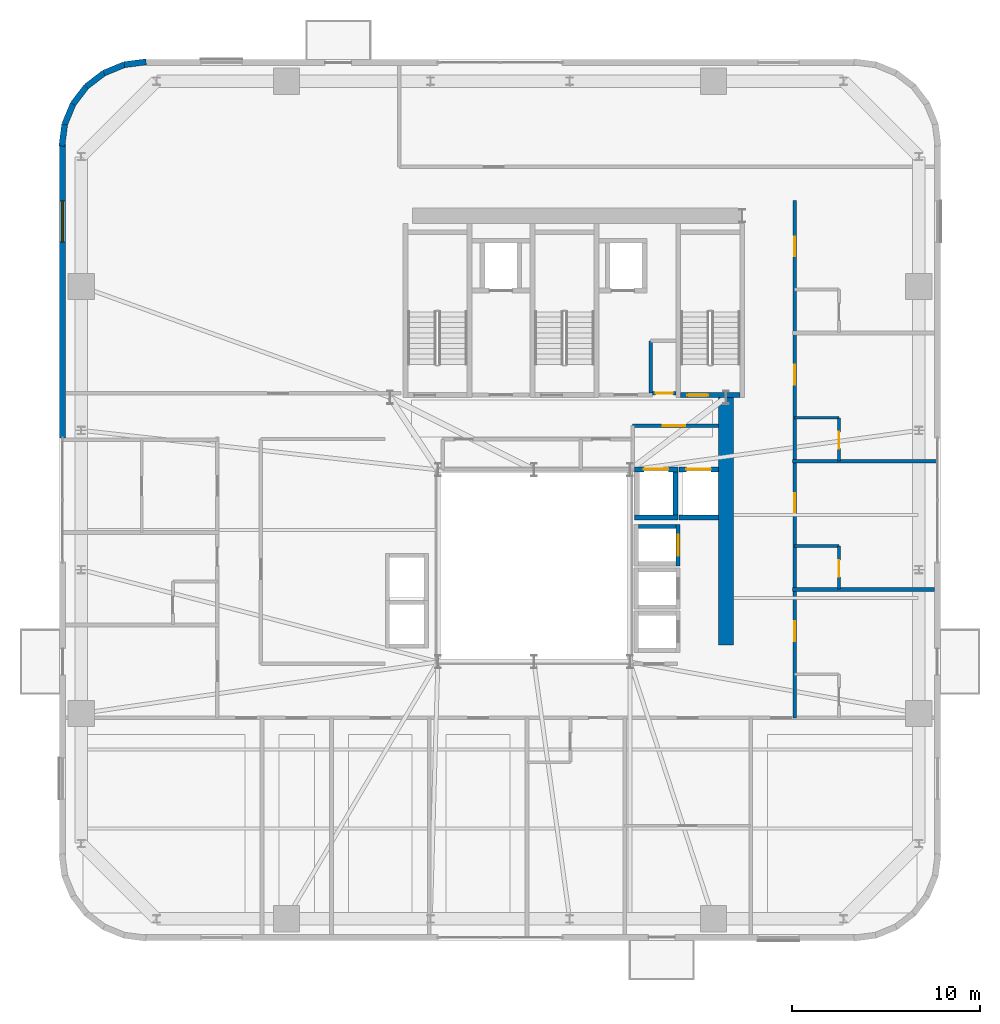
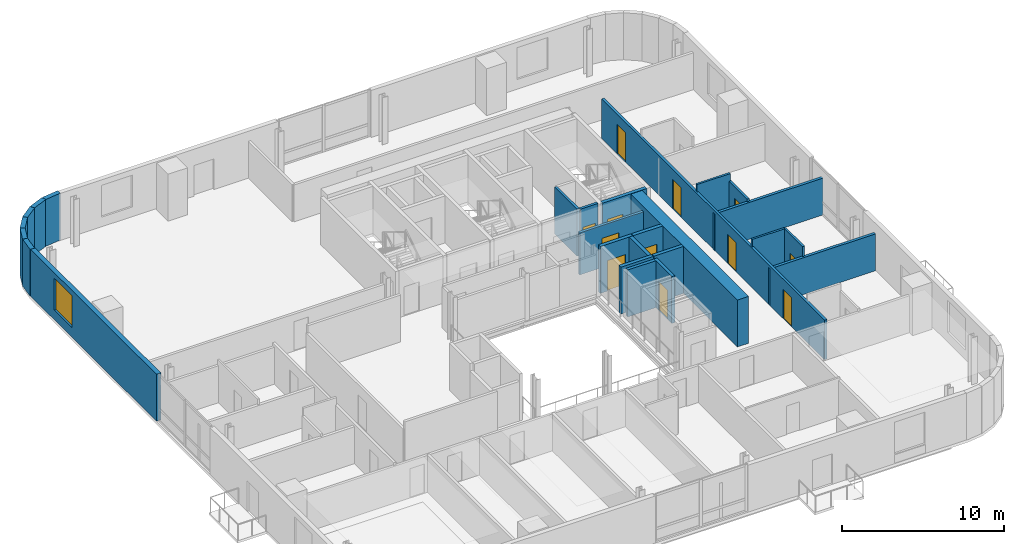
# One storey, part 10 of 16: 26 walls, 12 doors, 1 window, 13 openings.
"""IFC4 building model written with IfcOpenShell, lengths in metres."""

from ifc_helpers import new_model, si_unit, direction, frame, frame_2d, origin, place, context, subcontext, project, spatial, rectangle, extrude, source, transform, mapped, material, layer, layer_set, type_object, element, fill, save


model = new_model("IFC4")

# Units and contexts
model_context = context("Model", 3, precision=1e-05, world=origin(), true_north=direction((0.0, 1.0)))
body_context = subcontext(model_context, "Body", "Model", "MODEL_VIEW")
ifc_project = project(units=[si_unit("LENGTHUNIT", "METRE"), si_unit("AREAUNIT", "SQUARE_METRE"), si_unit("VOLUMEUNIT", "CUBIC_METRE"), si_unit("PLANEANGLEUNIT", "RADIAN"), si_unit("MASSUNIT", "GRAM", prefix="KILO")], contexts=[model_context])

# Site, building, storey
site_placement = place(None, origin())
site = spatial("IfcSite", under=ifc_project, at=site_placement, CompositionType="ELEMENT")
building_placement = place(site_placement, origin())
building = spatial("IfcBuilding", under=site, at=building_placement, Name="Vardaveli Station Tower", CompositionType="ELEMENT")
storey_placement = place(building_placement, frame((0.0, 0.0, 199.800048828125)))
storey = spatial("IfcBuildingStorey", under=building, at=storey_placement, Name="L51", CompositionType="ELEMENT", Elevation=199.800048828125)

# Wall
ifc_material_1 = material(Name="Concrete C50/60", Category="concrete")
ifc_layer_1 = layer(ifc_material_1, 0.800048828125, Name="Concrete C50/60")
ifc_layer_set_1 = layer_set([ifc_layer_1], Name="Concrete C50/60")
wall_type_1 = type_object("IfcWallType", Name="WAL-CORE-800", PredefinedType="SHEAR", material=ifc_layer_set_1)
shared_shape_1 = source(origin(), body_context, "Body", "SweptSolid", [
    extrude(rectangle(XDim=13.14990234375, YDim=0.800048828125, at=frame_2d((6.574951171875, 0.0))), origin(), (0.0, 0.0, 1.0), 3.530029296875),
])
wall_1_placement = place(storey_placement, frame((46.5, 17.5, 0.0), z_axis=(0.0, 0.0, 1.0), x_axis=(0.0, 1.0, 0.0)))
element("IfcWall", 1, at=wall_1_placement, inside=storey, type_object=wall_type_1, Name="SW-L51-EAST2", PredefinedType="SHEAR", context=body_context, shape_type="MappedRepresentation", body=[
    mapped(shared_shape_1, transform((0.0, 0.0, 0.0), scale=1.0)),
])

# Wall, opening, window
ifc_material_2 = material(Name="Precast concrete C45/55", Category="concrete")
ifc_layer_2 = layer(ifc_material_2, 0.320068359375, Name="Precast concrete C45/55")
ifc_layer_set_2 = layer_set([ifc_layer_2], Name="Precast concrete C45/55")
wall_type_2 = type_object("IfcWallType", Name="WAL-EXT-STONE-320", PredefinedType="SOLIDWALL", material=ifc_layer_set_2)
shared_shape_2 = source(origin(), body_context, "Body", "SweptSolid", [
    extrude(rectangle(XDim=15.60009765625, YDim=0.320068359375, at=frame_2d((7.800048828125, 0.0))), origin(), (0.0, 0.0, 1.0), 3.530029296875),
])
wall_2_placement = place(storey_placement, frame((11.260009765625, 44.10009765625, 0.0), z_axis=(0.0, 0.0, 1.0), x_axis=(0.0, -1.0, 0.0)))
wall_2 = element("IfcWall", 2, at=wall_2_placement, inside=storey, type_object=wall_type_2, Name="EW-L51-W1", PredefinedType="SOLIDWALL", context=body_context, shape_type="MappedRepresentation", body=[
    mapped(shared_shape_2, transform((0.0, 0.0, 0.0), scale=1.0)),
])
shared_shape_3 = source(origin(), body_context, "Body", "SweptSolid", [
    extrude(rectangle(XDim=2.199951171875, YDim=2.39990234375, at=frame_2d((1.10009765625, 1.199951171875))), frame((0.0, 0.169921875, 0.0), z_axis=(0.0, -1.0, 0.0), x_axis=(1.0, 0.0, 0.0)), (0.0, 0.0, 1.0), 0.340087890625),
])
opening_1_placement = place(wall_2_placement, frame((3.0048828125, 0.0, 0.719970703125)))
opening_1 = element("IfcOpeningElement", 3, at=opening_1_placement, cuts=wall_2, Name="Opening W-03", PredefinedType="OPENING", context=body_context, shape_type="MappedRepresentation", body=[
    mapped(shared_shape_3, transform((0.0, 0.0, 0.0), scale=1.0)),
])
ifc_material_3 = material(Name="Low-E solar-control glass", Category="glass")
window_type = type_object("IfcWindowType", Name="WIN-LOG-2200x2400", PartitioningType="SINGLE_PANEL", PredefinedType="WINDOW", material=ifc_material_3)
shared_shape_4 = source(origin(), body_context, "Body", "SweptSolid", [
    extrude(rectangle(XDim=2.199951171875, YDim=2.39990234375, at=frame_2d((1.10009765625, 1.199951171875))), frame((0.0, 0.030029296875, 0.0), z_axis=(0.0, -1.0, 0.0), x_axis=(1.0, 0.0, 0.0)), (0.0, 0.0, 1.0), 0.06005859375),
])
window_placement = place(opening_1_placement, origin())
window = element("IfcWindow", 4, at=window_placement, inside=storey, type_object=window_type, Name="WN-L51-W1", OverallHeight=2.39990234375, OverallWidth=2.199951171875, PartitioningType="SINGLE_PANEL", PredefinedType="WINDOW", context=body_context, shape_type="MappedRepresentation", body=[
    mapped(shared_shape_4, transform((0.0, 0.0, 0.0), scale=1.0)),
])
fill(opening_1, window)

# Walls
shared_shape_5 = source(origin(), body_context, "Body", "SweptSolid", [
    extrude(rectangle(XDim=1.1689453125, YDim=0.320068359375, at=frame_2d((0.58447265625, 0.0))), origin(), (0.0, 0.0, 1.0), 3.530029296875),
])
wall_3_placement = place(storey_placement, frame((12.53125, 47.1689453125, 0.0), z_axis=(0.0, 0.0, 1.0), x_axis=(-0.608387696831, -0.793639975269, 0.0)))
element("IfcWall", 5, at=wall_3_placement, inside=storey, type_object=wall_type_2, Name="EW-L51-CR4-4", PredefinedType="SOLIDWALL", context=body_context, shape_type="MappedRepresentation", body=[
    mapped(shared_shape_5, transform((0.0, 0.0, 0.0), scale=1.0)),
])
shared_shape_6 = source(origin(), body_context, "Body", "SweptSolid", [
    extrude(rectangle(XDim=1.168701171875, YDim=0.320068359375, at=frame_2d((0.58447265625, 0.0))), origin(), (0.0, 0.0, 1.0), 3.530029296875),
])
wall_4_placement = place(storey_placement, frame((13.458740234375, 47.8798828125, 0.0), z_axis=(0.0, 0.0, 1.0), x_axis=(-0.793663520347, -0.608356981114, 0.0)))
element("IfcWall", 6, at=wall_4_placement, inside=storey, type_object=wall_type_2, Name="EW-L51-CR4-3", PredefinedType="SOLIDWALL", context=body_context, shape_type="MappedRepresentation", body=[
    mapped(shared_shape_6, transform((0.0, 0.0, 0.0), scale=1.0)),
])
shared_shape_7 = source(origin(), body_context, "Body", "SweptSolid", [
    extrude(rectangle(XDim=1.17041015625, YDim=0.320068359375, at=frame_2d((0.585205078125, 0.0))), origin(), (0.0, 0.0, 1.0), 3.530029296875),
])
for number, where, z_axis, x_axis, name in (
    (7, (15.700439453125, 48.4755859375, 0.0), (0.0, 0.0, 1.0), (-0.991735963317, -0.128295670475, 0.0), "EW-L51-CR4-1"),
    (8, (11.37451171875, 45.16015625, 0.0), (0.0, 0.0, 1.0), (-0.128295670475, -0.991735963317, 0.0), "EW-L51-CR4-6"),
):
    element("IfcWall", number, at=place(storey_placement, frame(where, z_axis=z_axis, x_axis=x_axis)), inside=storey, type_object=wall_type_2, Name=name, PredefinedType="SOLIDWALL", context=body_context, shape_type="MappedRepresentation", body=[
        mapped(shared_shape_7, transform((0.0, 0.0, 0.0), scale=1.0)),
    ])
shared_shape_8 = source(origin(), body_context, "Body", "SweptSolid", [
    extrude(rectangle(XDim=1.169189453125, YDim=0.320068359375, at=frame_2d((0.58447265625, 0.0))), origin(), (0.0, 0.0, 1.0), 3.530029296875),
])
for number, where, z_axis, x_axis, name in (
    (9, (14.539794921875, 48.325439453125, 0.0), (0.0, 0.0, 1.0), (-0.924552646638, -0.381054331552, 0.0), "EW-L51-CR4-2"),
    (10, (11.820068359375, 46.2412109375, 0.0), (0.0, 0.0, 1.0), (-0.381054331552, -0.924552646638, 0.0), "EW-L51-CR4-5"),
):
    element("IfcWall", number, at=place(storey_placement, frame(where, z_axis=z_axis, x_axis=x_axis)), inside=storey, type_object=wall_type_2, Name=name, PredefinedType="SOLIDWALL", context=body_context, shape_type="MappedRepresentation", body=[
        mapped(shared_shape_8, transform((0.0, 0.0, 0.0), scale=1.0)),
    ])

# Wall, opening, door
ifc_material_4 = material(Name="Concrete C40/50", Category="concrete")
ifc_layer_3 = layer(ifc_material_4, 0.25, Name="Concrete C40/50")
ifc_layer_set_3 = layer_set([ifc_layer_3], Name="Concrete C40/50")
wall_type_3 = type_object("IfcWallType", Name="WAL-SHAFT-250", PredefinedType="SOLIDWALL", material=ifc_layer_set_3)
shared_shape_9 = source(origin(), body_context, "Body", "SweptSolid", [
    extrude(rectangle(XDim=3.14990234375, YDim=0.25, at=frame_2d((1.574951171875, 0.0))), origin(), (0.0, 0.0, 1.0), 3.550048828125),
])
wall_5_placement = place(storey_placement, frame((44.10009765625, 30.77490234375, 0.0), z_axis=(0.0, 0.0, 1.0), x_axis=(1.0, 0.0, 0.0)))
wall_5 = element("IfcWall", 11, at=wall_5_placement, inside=storey, type_object=wall_type_3, Name="W-L51-ST-3S", PredefinedType="SOLIDWALL", context=body_context, shape_type="MappedRepresentation", body=[
    mapped(shared_shape_9, transform((0.0, 0.0, 0.0), scale=1.0)),
])
shared_shape_10 = source(origin(), body_context, "Body", "SweptSolid", [
    extrude(rectangle(XDim=1.10009765625, YDim=2.199951171875, at=frame_2d((0.550048828125, 1.10009765625))), frame((0.0, 0.135009765625, 0.0), z_axis=(0.0, -1.0, 0.0), x_axis=(1.0, 0.0, 0.0)), (0.0, 0.0, 1.0), 0.27001953125),
])
opening_2_placement = place(wall_5_placement, frame((0.35009765625, 0.0, 0.0)))
opening_2 = element("IfcOpeningElement", 12, at=opening_2_placement, cuts=wall_5, Name="Opening D-04", PredefinedType="OPENING", context=body_context, shape_type="MappedRepresentation", body=[
    mapped(shared_shape_10, transform((0.0, 0.0, 0.0), scale=1.0)),
])
ifc_material_5 = material(Name="Steel smokeproof fire doorset", Category="steel")
door_type_1 = type_object("IfcDoorType", Name="DR-ST-1100x2200", OperationType="NOTDEFINED", PredefinedType="DOOR", material=ifc_material_5)
shared_shape_11 = source(origin(), body_context, "Body", "SweptSolid", [
    extrude(rectangle(XDim=1.10009765625, YDim=2.199951171875, at=frame_2d((0.550048828125, 1.10009765625))), frame((0.0, 0.02490234375, 0.0), z_axis=(0.0, -1.0, 0.0), x_axis=(1.0, 0.0, 0.0)), (0.0, 0.0, 1.0), 0.050048828125),
])
door_1_placement = place(opening_2_placement, origin())
door_1 = element("IfcDoor", 13, at=door_1_placement, inside=storey, type_object=door_type_1, Name="DST-3-L51", OperationType="SINGLE_SWING_LEFT", OverallHeight=2.199951171875, OverallWidth=1.10009765625, PredefinedType="DOOR", context=body_context, shape_type="MappedRepresentation", body=[
    mapped(shared_shape_11, transform((0.0, 0.0, 0.0), scale=1.0)),
])
fill(opening_2, door_1)

# Wall
ifc_layer_4 = layer(ifc_material_4, 0.219970703125, Name="Concrete C40/50")
ifc_layer_set_4 = layer_set([ifc_layer_4], Name="Concrete C40/50")
wall_type_4 = type_object("IfcWallType", Name="WAL-FFLOBBY-220", PredefinedType="SOLIDWALL", material=ifc_layer_set_4)
shared_shape_12 = source(origin(), body_context, "Body", "SweptSolid", [
    extrude(rectangle(XDim=2.0, YDim=0.219970703125, at=frame_2d((1.0, 0.0))), origin(), (0.0, 0.0, 1.0), 3.530029296875),
])
wall_6_placement = place(storey_placement, frame((41.85009765625, 23.784912109375, 0.0), z_axis=(0.0, 0.0, 1.0), x_axis=(1.0, 0.0, 0.0)))
element("IfcWall", 14, at=wall_6_placement, inside=storey, type_object=wall_type_4, Name="SHW-HL3-01-L51-N", PredefinedType="SOLIDWALL", context=body_context, shape_type="MappedRepresentation", body=[
    mapped(shared_shape_12, transform((0.0, 0.0, 0.0), scale=1.0)),
])

# Wall, opening, door
shared_shape_13 = source(origin(), body_context, "Body", "SweptSolid", [
    extrude(rectangle(XDim=2.18994140625, YDim=0.219970703125, at=frame_2d((1.094970703125, 0.0))), origin(), (0.0, 0.0, 1.0), 3.530029296875),
])
wall_7_placement = place(storey_placement, frame((43.9599609375, 21.705078125, 0.0), z_axis=(0.0, 0.0, 1.0), x_axis=(0.0, 1.0, 0.0)))
wall_7 = element("IfcWall", 15, at=wall_7_placement, inside=storey, type_object=wall_type_4, Name="SHW-HL3-01-L51-E", PredefinedType="SOLIDWALL", context=body_context, shape_type="MappedRepresentation", body=[
    mapped(shared_shape_13, transform((0.0, 0.0, 0.0), scale=1.0)),
])
shared_shape_14 = source(origin(), body_context, "Body", "SweptSolid", [
    extrude(rectangle(XDim=1.10009765625, YDim=2.199951171875, at=frame_2d((0.550048828125, 1.10009765625))), frame((0.0, 0.1201171875, 0.0), z_axis=(0.0, -1.0, 0.0), x_axis=(1.0, 0.0, 0.0)), (0.0, 0.0, 1.0), 0.239990234375),
])
opening_3_placement = place(wall_7_placement, frame((0.544921875, 0.0, 0.0)))
opening_3 = element("IfcOpeningElement", 16, at=opening_3_placement, cuts=wall_7, Name="Opening LD-01", PredefinedType="OPENING", context=body_context, shape_type="MappedRepresentation", body=[
    mapped(shared_shape_14, transform((0.0, 0.0, 0.0), scale=1.0)),
])
ifc_material_6 = material(Name="Brushed stainless steel", Category="steel")
door_type_2 = type_object("IfcDoorType", Name="DR-LD-1100x2200", OperationType="DOUBLE_DOOR_SLIDING", PredefinedType="DOOR", material=ifc_material_6)
door_2_placement = place(opening_3_placement, origin())
door_2 = element("IfcDoor", 17, at=door_2_placement, inside=storey, type_object=door_type_2, Name="LD-HL3-01-L51", OperationType="DOUBLE_DOOR_SLIDING", OverallHeight=2.199951171875, OverallWidth=1.10009765625, PredefinedType="DOOR", context=body_context, shape_type="MappedRepresentation", body=[
    mapped(shared_shape_11, transform((0.0, 0.0, 0.0), scale=1.0)),
])
fill(opening_3, door_2)

# Wall
shared_shape_15 = source(origin(), body_context, "Body", "SweptSolid", [
    extrude(rectangle(XDim=2.300048828125, YDim=0.25, at=frame_2d((1.14990234375, 0.0))), origin(), (0.0, 0.0, 1.0), 3.530029296875),
])
wall_8_placement = place(storey_placement, frame((41.64990234375, 24.27490234375, 0.0), z_axis=(0.0, 0.0, 1.0), x_axis=(1.0, 0.0, 0.0)))
element("IfcWall", 18, at=wall_8_placement, inside=storey, type_object=wall_type_3, Name="SHW-SRV-01-L51-S", PredefinedType="SOLIDWALL", context=body_context, shape_type="MappedRepresentation", body=[
    mapped(shared_shape_15, transform((0.0, 0.0, 0.0), scale=1.0)),
])

# Wall, opening, door
wall_9_placement = place(storey_placement, frame((41.64990234375, 26.824951171875, 0.0), z_axis=(0.0, 0.0, 1.0), x_axis=(1.0, 0.0, 0.0)))
wall_9 = element("IfcWall", 19, at=wall_9_placement, inside=storey, type_object=wall_type_3, Name="SHW-SRV-01-L51-N", PredefinedType="SOLIDWALL", context=body_context, shape_type="MappedRepresentation", body=[
    mapped(shared_shape_15, transform((0.0, 0.0, 0.0), scale=1.0)),
])
shared_shape_16 = source(origin(), body_context, "Body", "SweptSolid", [
    extrude(rectangle(XDim=1.300048828125, YDim=2.300048828125, at=frame_2d((0.64990234375, 1.14990234375))), frame((0.0, 0.135009765625, 0.0), z_axis=(0.0, -1.0, 0.0), x_axis=(1.0, 0.0, 0.0)), (0.0, 0.0, 1.0), 0.27001953125),
])
opening_4_placement = place(wall_9_placement, frame((0.5, 0.0, 0.0)))
opening_4 = element("IfcOpeningElement", 20, at=opening_4_placement, cuts=wall_9, Name="Opening LD-03", PredefinedType="OPENING", context=body_context, shape_type="MappedRepresentation", body=[
    mapped(shared_shape_16, transform((0.0, 0.0, 0.0), scale=1.0)),
])
door_type_3 = type_object("IfcDoorType", Name="DR-LD-1300x2300", OperationType="DOUBLE_DOOR_SLIDING", PredefinedType="DOOR", material=ifc_material_6)
shared_shape_17 = source(origin(), body_context, "Body", "SweptSolid", [
    extrude(rectangle(XDim=1.300048828125, YDim=2.300048828125, at=frame_2d((0.64990234375, 1.14990234375))), frame((0.0, 0.02490234375, 0.0), z_axis=(0.0, -1.0, 0.0), x_axis=(1.0, 0.0, 0.0)), (0.0, 0.0, 1.0), 0.050048828125),
])
door_3_placement = place(opening_4_placement, origin())
door_3 = element("IfcDoor", 21, at=door_3_placement, inside=storey, type_object=door_type_3, Name="LD-SRV-01-L51", OperationType="DOUBLE_DOOR_SLIDING", OverallHeight=2.300048828125, OverallWidth=1.300048828125, PredefinedType="DOOR", context=body_context, shape_type="MappedRepresentation", body=[
    mapped(shared_shape_17, transform((0.0, 0.0, 0.0), scale=1.0)),
])
fill(opening_4, door_3)

# Walls
wall_10_placement = place(storey_placement, frame((43.824951171875, 24.39990234375, 0.0), z_axis=(0.0, 0.0, 1.0), x_axis=(0.0, 1.0, 0.0)))
element("IfcWall", 22, at=wall_10_placement, inside=storey, type_object=wall_type_3, Name="SHW-SRV-01-L51-E", PredefinedType="SOLIDWALL", context=body_context, shape_type="MappedRepresentation", body=[
    mapped(shared_shape_15, transform((0.0, 0.0, 0.0), scale=1.0)),
])
shared_shape_18 = source(origin(), body_context, "Body", "SweptSolid", [
    extrude(rectangle(XDim=2.10009765625, YDim=0.25, at=frame_2d((1.050048828125, 0.0))), origin(), (0.0, 0.0, 1.0), 3.530029296875),
])
wall_11_placement = place(storey_placement, frame((44.0, 24.27490234375, 0.0), z_axis=(0.0, 0.0, 1.0), x_axis=(1.0, 0.0, 0.0)))
element("IfcWall", 23, at=wall_11_placement, inside=storey, type_object=wall_type_3, Name="SHW-SRV-02-L51-S", PredefinedType="SOLIDWALL", context=body_context, shape_type="MappedRepresentation", body=[
    mapped(shared_shape_18, transform((0.0, 0.0, 0.0), scale=1.0)),
])

# Wall, opening, door
wall_12_placement = place(storey_placement, frame((44.0, 26.824951171875, 0.0), z_axis=(0.0, 0.0, 1.0), x_axis=(1.0, 0.0, 0.0)))
wall_12 = element("IfcWall", 24, at=wall_12_placement, inside=storey, type_object=wall_type_3, Name="SHW-SRV-02-L51-N", PredefinedType="SOLIDWALL", context=body_context, shape_type="MappedRepresentation", body=[
    mapped(shared_shape_18, transform((0.0, 0.0, 0.0), scale=1.0)),
])
opening_5_placement = place(wall_12_placement, frame((0.39990234375, 0.0, 0.0)))
opening_5 = element("IfcOpeningElement", 25, at=opening_5_placement, cuts=wall_12, Name="Opening LD-03", PredefinedType="OPENING", context=body_context, shape_type="MappedRepresentation", body=[
    mapped(shared_shape_16, transform((0.0, 0.0, 0.0), scale=1.0)),
])
door_4_placement = place(opening_5_placement, origin())
door_4 = element("IfcDoor", 26, at=door_4_placement, inside=storey, type_object=door_type_3, Name="LD-SRV-02-L51", OperationType="DOUBLE_DOOR_SLIDING", OverallHeight=2.300048828125, OverallWidth=1.300048828125, PredefinedType="DOOR", context=body_context, shape_type="MappedRepresentation", body=[
    mapped(shared_shape_17, transform((0.0, 0.0, 0.0), scale=1.0)),
])
fill(opening_5, door_4)

ifc_material_7 = material(Name="Fire-rated gypsum stud partition")
ifc_layer_5 = layer(ifc_material_7, 0.179931640625, Name="Fire-rated gypsum stud partition")
ifc_layer_set_5 = layer_set([ifc_layer_5], Name="Fire-rated gypsum stud partition")
wall_type_5 = type_object("IfcWallType", Name="WAL-CORR-180", PredefinedType="PARTITIONING", material=ifc_layer_set_5)
shared_shape_19 = source(origin(), body_context, "Body", "SweptSolid", [
    extrude(rectangle(XDim=4.5478515625, YDim=0.179931640625, at=frame_2d((2.27392578125, 0.0))), origin(), (0.0, 0.0, 1.0), 3.161865234375),
])
wall_13_placement = place(storey_placement, frame((41.550048828125, 29.14990234375, 0.0), z_axis=(0.0, 0.0, 1.0), x_axis=(1.0, 0.0, 0.0)))
wall_13 = element("IfcWall", 27, at=wall_13_placement, inside=storey, type_object=wall_type_5, Name="W-L51-SVFN", PredefinedType="PARTITIONING", context=body_context, shape_type="MappedRepresentation", body=[
    mapped(shared_shape_19, transform((0.0, 0.0, 0.0), scale=1.0)),
])
shared_shape_20 = source(origin(), body_context, "Body", "SweptSolid", [
    extrude(rectangle(XDim=1.199951171875, YDim=2.199951171875, at=frame_2d((0.60009765625, 1.10009765625))), frame((0.0, 0.10009765625, 0.0), z_axis=(0.0, -1.0, 0.0), x_axis=(1.0, 0.0, 0.0)), (0.0, 0.0, 1.0), 0.199951171875),
])
opening_6_placement = place(wall_13_placement, frame((1.60009765625, 0.0, 0.0)))
opening_6 = element("IfcOpeningElement", 28, at=opening_6_placement, cuts=wall_13, Name="Opening D-03", PredefinedType="OPENING", context=body_context, shape_type="MappedRepresentation", body=[
    mapped(shared_shape_20, transform((0.0, 0.0, 0.0), scale=1.0)),
])
door_type_4 = type_object("IfcDoorType", Name="DR-FFL-1200x2200", OperationType="NOTDEFINED", PredefinedType="DOOR", material=ifc_material_5)
shared_shape_21 = source(origin(), body_context, "Body", "SweptSolid", [
    extrude(rectangle(XDim=1.199951171875, YDim=2.199951171875, at=frame_2d((0.60009765625, 1.10009765625))), frame((0.0, 0.02490234375, 0.0), z_axis=(0.0, -1.0, 0.0), x_axis=(1.0, 0.0, 0.0)), (0.0, 0.0, 1.0), 0.050048828125),
])
door_5_placement = place(opening_6_placement, origin())
door_5 = element("IfcDoor", 29, at=door_5_placement, inside=storey, type_object=door_type_4, Name="D-L51-SVF", OperationType="SINGLE_SWING_LEFT", OverallHeight=2.199951171875, OverallWidth=1.199951171875, PredefinedType="DOOR", context=body_context, shape_type="MappedRepresentation", body=[
    mapped(shared_shape_21, transform((0.0, 0.0, 0.0), scale=1.0)),
])
fill(opening_6, door_5)

ifc_material_8 = material(Name="Moisture-resistant stud partition")
ifc_layer_6 = layer(ifc_material_8, 0.14990234375, Name="Moisture-resistant stud partition")
ifc_layer_set_6 = layer_set([ifc_layer_6], Name="Moisture-resistant stud partition")
wall_type_6 = type_object("IfcWallType", Name="WAL-WET-150", PredefinedType="PARTITIONING", material=ifc_layer_set_6)
shared_shape_22 = source(origin(), body_context, "Body", "SweptSolid", [
    extrude(rectangle(XDim=2.2900390625, YDim=0.14990234375, at=frame_2d((1.14501953125, 0.0))), origin(), (0.0, 0.0, 1.0), 2.971923828125),
])
wall_14_placement = place(storey_placement, frame((52.510009765625, 27.27490234375, 0.0), z_axis=(0.0, 0.0, 1.0), x_axis=(0.0, 1.0, 0.0)))
wall_14 = element("IfcWall", 30, at=wall_14_placement, inside=storey, type_object=wall_type_6, Name="W-L51-BE3-E", PredefinedType="PARTITIONING", context=body_context, shape_type="MappedRepresentation", body=[
    mapped(shared_shape_22, transform((0.0, 0.0, 0.0), scale=1.0)),
])
shared_shape_23 = source(origin(), body_context, "Body", "SweptSolid", [
    extrude(rectangle(XDim=0.89990234375, YDim=2.10009765625, at=frame_2d((0.449951171875, 1.050048828125))), frame((0.0, 0.0849609375, 0.0), z_axis=(0.0, -1.0, 0.0), x_axis=(1.0, 0.0, 0.0)), (0.0, 0.0, 1.0), 0.169921875),
])
opening_7_placement = place(wall_14_placement, frame((0.64990234375, 0.0, 0.0)))
opening_7 = element("IfcOpeningElement", 31, at=opening_7_placement, cuts=wall_14, Name="Opening D-08", PredefinedType="OPENING", context=body_context, shape_type="MappedRepresentation", body=[
    mapped(shared_shape_23, transform((0.0, 0.0, 0.0), scale=1.0)),
])
ifc_material_9 = material(Name="Moisture-resistant oak door")
door_type_5 = type_object("IfcDoorType", Name="DR-BATH-900x2100", OperationType="NOTDEFINED", PredefinedType="DOOR", material=ifc_material_9)
shared_shape_24 = source(origin(), body_context, "Body", "SweptSolid", [
    extrude(rectangle(XDim=0.89990234375, YDim=2.10009765625, at=frame_2d((0.449951171875, 1.050048828125))), frame((0.0, 0.02490234375, 0.0), z_axis=(0.0, -1.0, 0.0), x_axis=(1.0, 0.0, 0.0)), (0.0, 0.0, 1.0), 0.050048828125),
])
door_6_placement = place(opening_7_placement, origin())
door_6 = element("IfcDoor", 32, at=door_6_placement, inside=storey, type_object=door_type_5, Name="D-L51-BE3", OperationType="SINGLE_SWING_RIGHT", OverallHeight=2.10009765625, OverallWidth=0.89990234375, PredefinedType="DOOR", context=body_context, shape_type="MappedRepresentation", body=[
    mapped(shared_shape_24, transform((0.0, 0.0, 0.0), scale=1.0)),
])
fill(opening_7, door_6)

shared_shape_25 = source(origin(), body_context, "Body", "SweptSolid", [
    extrude(rectangle(XDim=1.247802734375, YDim=0.179931640625, at=frame_2d((0.6240234375, 0.0))), origin(), (0.0, 0.0, 1.0), 3.530029296875),
])
wall_15_placement = place(storey_placement, frame((42.60009765625, 30.8798828125, 0.0), z_axis=(0.0, 0.0, 1.0), x_axis=(1.0, 0.0, 0.0)))
wall_15 = element("IfcWall", 33, at=wall_15_placement, inside=storey, type_object=wall_type_5, Name="W-L51-CBS0-S", PredefinedType="PARTITIONING", context=body_context, shape_type="MappedRepresentation", body=[
    mapped(shared_shape_25, transform((0.0, 0.0, 0.0), scale=1.0)),
])
shared_shape_26 = source(origin(), body_context, "Body", "SweptSolid", [
    extrude(rectangle(XDim=0.919921875, YDim=2.10009765625, at=frame_2d((0.4599609375, 1.050048828125))), frame((0.0, 0.10009765625, 0.0), z_axis=(0.0, -1.0, 0.0), x_axis=(1.0, 0.0, 0.0)), (0.0, 0.0, 1.0), 0.199951171875),
])
opening_8_placement = place(wall_15_placement, frame((0.1640625, 0.0, 0.0)))
opening_8 = element("IfcOpeningElement", 34, at=opening_8_placement, cuts=wall_15, Name="Opening D-07", PredefinedType="OPENING", context=body_context, shape_type="MappedRepresentation", body=[
    mapped(shared_shape_26, transform((0.0, 0.0, 0.0), scale=1.0)),
])
ifc_material_10 = material(Name="Moisture-resistant hardwood door", Category="wood")
door_type_6 = type_object("IfcDoorType", Name="DR-WC-920x2100", OperationType="NOTDEFINED", PredefinedType="DOOR", material=ifc_material_10)
shared_shape_27 = source(origin(), body_context, "Body", "SweptSolid", [
    extrude(rectangle(XDim=0.919921875, YDim=2.10009765625, at=frame_2d((0.4599609375, 1.050048828125))), frame((0.0, 0.02490234375, 0.0), z_axis=(0.0, -1.0, 0.0), x_axis=(1.0, 0.0, 0.0)), (0.0, 0.0, 1.0), 0.050048828125),
])
door_7_placement = place(opening_8_placement, origin())
door_7 = element("IfcDoor", 35, at=door_7_placement, inside=storey, type_object=door_type_6, Name="D-L51-CBS0", OperationType="SINGLE_SWING_LEFT", OverallHeight=2.10009765625, OverallWidth=0.919921875, PredefinedType="DOOR", context=body_context, shape_type="MappedRepresentation", body=[
    mapped(shared_shape_27, transform((0.0, 0.0, 0.0), scale=1.0)),
])
fill(opening_8, door_7)

# Walls
ifc_material_11 = material(Name="Acoustic twin-stud gypsum partition")
ifc_layer_7 = layer(ifc_material_11, 0.199951171875, Name="Acoustic twin-stud gypsum partition")
ifc_layer_set_7 = layer_set([ifc_layer_7], Name="Acoustic twin-stud gypsum partition")
wall_type_7 = type_object("IfcWallType", Name="WAL-PARTY-200", PredefinedType="PARTITIONING", material=ifc_layer_set_7)
shared_shape_28 = source(origin(), body_context, "Body", "SweptSolid", [
    extrude(rectangle(XDim=7.52783203125, YDim=0.199951171875, at=frame_2d((3.763916015625, 0.0))), origin(), (0.0, 0.0, 1.0), 2.77197265625),
])
wall_16_placement = place(storey_placement, frame((50.050048828125, 20.44189453125, 0.0), z_axis=(0.0, 0.0, 1.0), x_axis=(1.0, 0.0, 0.0)))
element("IfcWall", 36, at=wall_16_placement, inside=storey, type_object=wall_type_7, Name="W-L51-PE1", PredefinedType="PARTITIONING", context=body_context, shape_type="MappedRepresentation", body=[
    mapped(shared_shape_28, transform((0.0, 0.0, 0.0), scale=1.0)),
])
shared_shape_29 = source(origin(), body_context, "Body", "SweptSolid", [
    extrude(rectangle(XDim=7.719970703125, YDim=0.199951171875, at=frame_2d((3.85986328125, 0.0))), origin(), (0.0, 0.0, 1.0), 2.77197265625),
])
wall_17_placement = place(storey_placement, frame((50.050048828125, 27.2548828125, 0.0), z_axis=(0.0, 0.0, 1.0), x_axis=(1.0, 0.0, 0.0)))
element("IfcWall", 37, at=wall_17_placement, inside=storey, type_object=wall_type_7, Name="W-L51-PE2", PredefinedType="PARTITIONING", context=body_context, shape_type="MappedRepresentation", body=[
    mapped(shared_shape_29, transform((0.0, 0.0, 0.0), scale=1.0)),
])
shared_shape_30 = source(origin(), body_context, "Body", "SweptSolid", [
    extrude(rectangle(XDim=2.360107421875, YDim=0.14990234375, at=frame_2d((1.18017578125, 0.0))), origin(), (0.0, 0.0, 1.0), 3.530029296875),
])
for number, where, z_axis, x_axis, name in (
    (38, (50.14990234375, 22.751953125, 0.0), (0.0, 0.0, 1.0), (1.0, 0.0, 0.0), "W-L51-BE2-N"),
    (39, (50.14990234375, 29.56494140625, 0.0), (0.0, 0.0, 1.0), (1.0, 0.0, 0.0), "W-L51-BE3-N"),
):
    element("IfcWall", number, at=place(storey_placement, frame(where, z_axis=z_axis, x_axis=x_axis)), inside=storey, type_object=wall_type_6, Name=name, PredefinedType="PARTITIONING", context=body_context, shape_type="MappedRepresentation", body=[
        mapped(shared_shape_30, transform((0.0, 0.0, 0.0), scale=1.0)),
    ])
shared_shape_31 = source(origin(), body_context, "Body", "SweptSolid", [
    extrude(rectangle(XDim=2.7578125, YDim=0.179931640625, at=frame_2d((1.37890625, 0.0))), origin(), (0.0, 0.0, 1.0), 3.530029296875),
])
wall_18_placement = place(storey_placement, frame((42.5, 30.89208984375, 0.0), z_axis=(0.0, 0.0, 1.0), x_axis=(0.0, 1.0, 0.0)))
element("IfcWall", 40, at=wall_18_placement, inside=storey, type_object=wall_type_5, Name="W-L51-CBS0-W", PredefinedType="PARTITIONING", context=body_context, shape_type="MappedRepresentation", body=[
    mapped(shared_shape_31, transform((0.0, 0.0, 0.0), scale=1.0)),
])

# Wall, openings, doors
shared_shape_32 = source(origin(), body_context, "Body", "SweptSolid", [
    extrude(rectangle(XDim=27.47021484375, YDim=0.179931640625, at=frame_2d((13.735107421875, 0.0))), origin(), (0.0, 0.0, 1.0), 2.971923828125),
])
wall_19_placement = place(storey_placement, frame((50.14990234375, 13.6298828125, 0.0), z_axis=(0.0, 0.0, 1.0), x_axis=(0.0, 1.0, 0.0)))
wall_19 = element("IfcWall", 41, at=wall_19_placement, inside=storey, type_object=wall_type_5, Name="W-L51-CE", PredefinedType="PARTITIONING", context=body_context, shape_type="MappedRepresentation", body=[
    mapped(shared_shape_32, transform((0.0, 0.0, 0.0), scale=1.0)),
])
shared_shape_33 = source(origin(), body_context, "Body", "SweptSolid", [
    extrude(rectangle(XDim=1.050048828125, YDim=2.199951171875, at=frame_2d((0.52490234375, 1.10009765625))), frame((0.0, 0.10009765625, 0.0), z_axis=(0.0, -1.0, 0.0), x_axis=(1.0, 0.0, 0.0)), (0.0, 0.0, 1.0), 0.199951171875),
])
opening_9_placement = place(wall_19_placement, frame((4.0712890625, 0.0, 0.0)))
opening_9 = element("IfcOpeningElement", 42, at=opening_9_placement, cuts=wall_19, Name="Opening D-05", PredefinedType="OPENING", context=body_context, shape_type="MappedRepresentation", body=[
    mapped(shared_shape_33, transform((0.0, 0.0, 0.0), scale=1.0)),
])
opening_10_placement = place(wall_19_placement, frame((10.8837890625, 0.0, 0.0)))
opening_10 = element("IfcOpeningElement", 43, at=opening_10_placement, cuts=wall_19, Name="Opening D-05", PredefinedType="OPENING", context=body_context, shape_type="MappedRepresentation", body=[
    mapped(shared_shape_33, transform((0.0, 0.0, 0.0), scale=1.0)),
])
opening_11_placement = place(wall_19_placement, frame((17.6962890625, 0.0, 0.0)))
opening_11 = element("IfcOpeningElement", 44, at=opening_11_placement, cuts=wall_19, Name="Opening D-05", PredefinedType="OPENING", context=body_context, shape_type="MappedRepresentation", body=[
    mapped(shared_shape_33, transform((0.0, 0.0, 0.0), scale=1.0)),
])
opening_12_placement = place(wall_19_placement, frame((24.5087890625, 0.0, 0.0)))
opening_12 = element("IfcOpeningElement", 45, at=opening_12_placement, cuts=wall_19, Name="Opening D-05", PredefinedType="OPENING", context=body_context, shape_type="MappedRepresentation", body=[
    mapped(shared_shape_33, transform((0.0, 0.0, 0.0), scale=1.0)),
])
ifc_material_12 = material(Name="Walnut veneer acoustic fire door")
door_type_7 = type_object("IfcDoorType", Name="DR-SUITE-1050x2200", OperationType="NOTDEFINED", PredefinedType="DOOR", material=ifc_material_12)
shared_shape_34 = source(origin(), body_context, "Body", "SweptSolid", [
    extrude(rectangle(XDim=1.050048828125, YDim=2.199951171875, at=frame_2d((0.52490234375, 1.10009765625))), frame((0.0, 0.02490234375, 0.0), z_axis=(0.0, -1.0, 0.0), x_axis=(1.0, 0.0, 0.0)), (0.0, 0.0, 1.0), 0.050048828125),
])
door_8_placement = place(opening_9_placement, origin())
door_8 = element("IfcDoor", 46, at=door_8_placement, inside=storey, type_object=door_type_7, Name="D-L51-GE1", OperationType="SINGLE_SWING_LEFT", OverallHeight=2.199951171875, OverallWidth=1.050048828125, PredefinedType="DOOR", context=body_context, shape_type="MappedRepresentation", body=[
    mapped(shared_shape_34, transform((0.0, 0.0, 0.0), scale=1.0)),
])
fill(opening_9, door_8)
door_9_placement = place(opening_10_placement, origin())
door_9 = element("IfcDoor", 47, at=door_9_placement, inside=storey, type_object=door_type_7, Name="D-L51-GE2", OperationType="SINGLE_SWING_RIGHT", OverallHeight=2.199951171875, OverallWidth=1.050048828125, PredefinedType="DOOR", context=body_context, shape_type="MappedRepresentation", body=[
    mapped(shared_shape_34, transform((0.0, 0.0, 0.0), scale=1.0)),
])
fill(opening_10, door_9)
door_10_placement = place(opening_11_placement, origin())
door_10 = element("IfcDoor", 48, at=door_10_placement, inside=storey, type_object=door_type_7, Name="D-L51-GE3", OperationType="SINGLE_SWING_LEFT", OverallHeight=2.199951171875, OverallWidth=1.050048828125, PredefinedType="DOOR", context=body_context, shape_type="MappedRepresentation", body=[
    mapped(shared_shape_34, transform((0.0, 0.0, 0.0), scale=1.0)),
])
fill(opening_11, door_10)
door_11_placement = place(opening_12_placement, origin())
door_11 = element("IfcDoor", 49, at=door_11_placement, inside=storey, type_object=door_type_7, Name="D-L51-GE4", OperationType="SINGLE_SWING_RIGHT", OverallHeight=2.199951171875, OverallWidth=1.050048828125, PredefinedType="DOOR", context=body_context, shape_type="MappedRepresentation", body=[
    mapped(shared_shape_34, transform((0.0, 0.0, 0.0), scale=1.0)),
])
fill(opening_12, door_11)

# Wall, opening, door
shared_shape_35 = source(origin(), body_context, "Body", "SweptSolid", [
    extrude(rectangle(XDim=2.2900390625, YDim=0.14990234375, at=frame_2d((1.14501953125, 0.0))), origin(), (0.0, 0.0, 1.0), 3.530029296875),
])
wall_20_placement = place(storey_placement, frame((52.510009765625, 20.4619140625, 0.0), z_axis=(0.0, 0.0, 1.0), x_axis=(0.0, 1.0, 0.0)))
wall_20 = element("IfcWall", 50, at=wall_20_placement, inside=storey, type_object=wall_type_6, Name="W-L51-BE2-E", PredefinedType="PARTITIONING", context=body_context, shape_type="MappedRepresentation", body=[
    mapped(shared_shape_35, transform((0.0, 0.0, 0.0), scale=1.0)),
])
opening_13_placement = place(wall_20_placement, frame((0.64990234375, 0.0, 0.0)))
opening_13 = element("IfcOpeningElement", 51, at=opening_13_placement, cuts=wall_20, Name="Opening D-08", PredefinedType="OPENING", context=body_context, shape_type="MappedRepresentation", body=[
    mapped(shared_shape_23, transform((0.0, 0.0, 0.0), scale=1.0)),
])
door_12_placement = place(opening_13_placement, origin())
door_12 = element("IfcDoor", 52, at=door_12_placement, inside=storey, type_object=door_type_5, Name="D-L51-BE2", OperationType="SINGLE_SWING_LEFT", OverallHeight=2.10009765625, OverallWidth=0.89990234375, PredefinedType="DOOR", context=body_context, shape_type="MappedRepresentation", body=[
    mapped(shared_shape_24, transform((0.0, 0.0, 0.0), scale=1.0)),
])
fill(opening_13, door_12)

save(model, "model.ifc")
